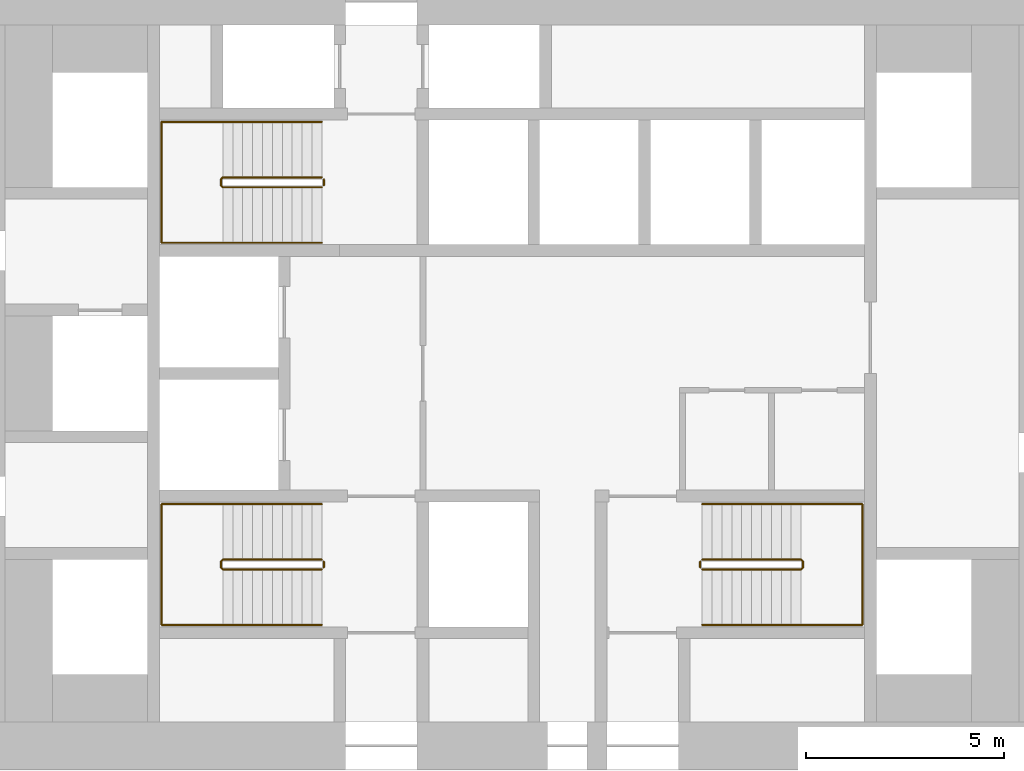
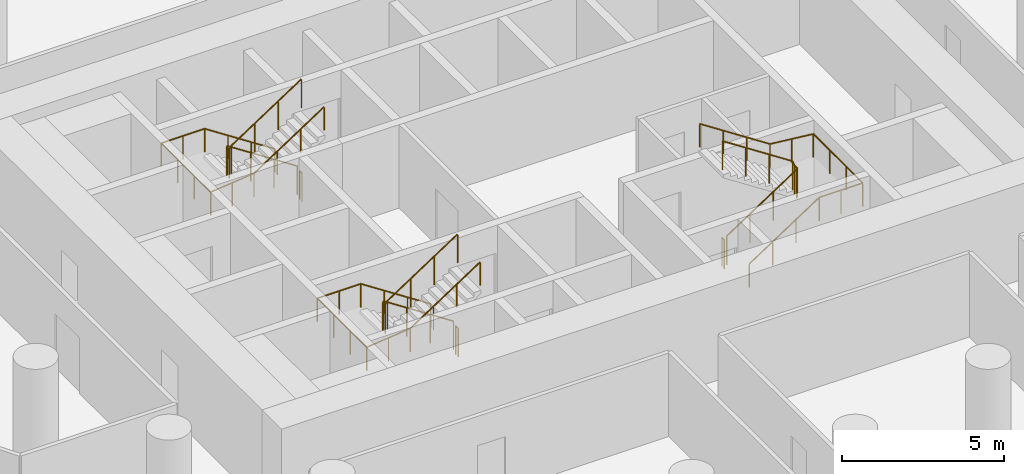
# One storey, part 12 of 12: 9 railings.
"""IFC4 building model written with IfcOpenShell, lengths in metres."""

from ifc_helpers import new_model, si_unit, direction, frame, origin, origin_2d, place, context, subcontext, project, spatial, circle, extrude, material, type_object, element, save


model = new_model("IFC4")

# Units and contexts
model_context = context("Model", 3, precision=1e-05, world=origin(), true_north=direction((0.0, 1.0)))
body_context = subcontext(model_context, "Body", "Model", "MODEL_VIEW")
ifc_project = project(units=[si_unit("LENGTHUNIT", "METRE"), si_unit("AREAUNIT", "SQUARE_METRE"), si_unit("VOLUMEUNIT", "CUBIC_METRE"), si_unit("PLANEANGLEUNIT", "RADIAN"), si_unit("MASSUNIT", "GRAM", prefix="KILO")], contexts=[model_context])

# Site, building, storey
site_placement = place(None, origin())
site = spatial("IfcSite", under=ifc_project, at=site_placement, CompositionType="ELEMENT")
building_placement = place(site_placement, origin())
building = spatial("IfcBuilding", under=site, at=building_placement, Name="Tracery Tower", CompositionType="ELEMENT")
storey_placement = place(building_placement, frame((0.0, 0.0, 78.60009765625)))
storey = spatial("IfcBuildingStorey", under=building, at=storey_placement, Name="L19", CompositionType="ELEMENT", Elevation=78.60009765625)

# Railings
ifc_material_1 = material(Name="Stainless steel and laminated glass", Category="steel")
railing_type_1 = type_object("IfcRailingType", Name="Stair guard 1100", PredefinedType="GUARDRAIL", material=ifc_material_1)
railing_1_placement = place(storey_placement, frame((-4.800048828125, -4.699951171875, 0.16357421875)))
element("IfcRailing", 1, at=railing_1_placement, inside=storey, type_object=railing_type_1, Name="L19 stair ST1 guard 1", PredefinedType="GUARDRAIL", context=body_context, shape_type="SweptSolid", body=[
    extrude(circle(Radius=0.02392578125, at=origin_2d()), frame((0.0, 0.0, 1.076171875), z_axis=(-0.836721939367, 0.0, 0.547627972425), x_axis=(0.0, -1.0, 0.0)), (0.0, 0.0, 1.0), 2.98779296875),
    extrude(circle(Radius=0.02392578125, at=origin_2d()), frame((-2.5, 0.0, 2.71240234375), z_axis=(-0.707106781187, -0.707106781187, 0.0), x_axis=(0.707106781187, -0.707106781187, 0.0)), (0.0, 0.0, 1.0), 0.07080078125),
    extrude(circle(Radius=0.02392578125, at=origin_2d()), frame((-2.550048828125, -0.050048828125, 2.71240234375), z_axis=(0.0, -1.0, 0.0), x_axis=(1.0, 0.0, 0.0)), (0.0, 0.0, 1.0), 0.14990234375),
    extrude(circle(Radius=0.02392578125, at=origin_2d()), frame((-2.550048828125, -0.199951171875, 2.71240234375), z_axis=(0.280456126637, -0.280456126637, 0.917980785237), x_axis=(0.707106781187, 0.707106781187, 0.0)), (0.0, 0.0, 1.0), 0.178466796875),
    extrude(circle(Radius=0.02392578125, at=origin_2d()), frame((-2.5, -0.25, 2.8759765625), z_axis=(0.836721939367, 0.0, 0.547627972425), x_axis=(0.0, 1.0, 0.0)), (0.0, 0.0, 1.0), 2.98779296875),
    extrude(circle(Radius=0.02099609375, at=origin_2d()), origin(), (0.0, 0.0, 1.0), 1.052001953125),
    extrude(circle(Radius=0.02099609375, at=origin_2d()), frame((-0.833251953125, 0.0, 0.54541015625)), (0.0, 0.0, 1.0), 1.052001953125),
    extrude(circle(Radius=0.02099609375, at=origin_2d()), frame((-1.666748046875, 0.0, 1.0908203125)), (0.0, 0.0, 1.0), 1.052001953125),
    extrude(circle(Radius=0.02099609375, at=origin_2d()), frame((-2.5, 0.0, 1.63623046875)), (0.0, 0.0, 1.0), 1.052001953125),
    extrude(circle(Radius=0.02099609375, at=origin_2d()), frame((-2.550048828125, -0.050048828125, 1.63623046875)), (0.0, 0.0, 1.0), 1.052001953125),
    extrude(circle(Radius=0.02099609375, at=origin_2d()), frame((-2.550048828125, -0.199951171875, 1.63623046875)), (0.0, 0.0, 1.0), 1.052001953125),
    extrude(circle(Radius=0.02099609375, at=origin_2d()), frame((-2.5, -0.25, 1.800048828125)), (0.0, 0.0, 1.0), 1.052001953125),
    extrude(circle(Radius=0.02099609375, at=origin_2d()), frame((-1.666748046875, -0.25, 2.345458984375)), (0.0, 0.0, 1.0), 1.052001953125),
    extrude(circle(Radius=0.02099609375, at=origin_2d()), frame((-0.833251953125, -0.25, 2.890869140625)), (0.0, 0.0, 1.0), 1.052001953125),
    extrude(circle(Radius=0.02099609375, at=origin_2d()), frame((0.0, -0.25, 3.436279296875)), (0.0, 0.0, 1.0), 1.052001953125),
])
railing_2_placement = place(storey_placement, frame((-4.75, -4.75, 0.0)))
element("IfcRailing", 2, at=railing_2_placement, inside=storey, type_object=railing_type_1, Name="L19 stair ST1 guard 2", PredefinedType="GUARDRAIL", context=body_context, shape_type="SweptSolid", body=[
    extrude(circle(Radius=0.02392578125, at=origin_2d()), frame((0.0, 0.0, 1.076171875), z_axis=(0.0, -1.0, 0.0), x_axis=(1.0, 0.0, 0.0)), (0.0, 0.0, 1.0), 0.14990234375),
    extrude(circle(Radius=0.02099609375, at=origin_2d()), origin(), (0.0, 0.0, 1.0), 1.052001953125),
    extrude(circle(Radius=0.02099609375, at=origin_2d()), frame((0.0, -0.14990234375, 0.0)), (0.0, 0.0, 1.0), 1.052001953125),
])
railing_3_placement = place(storey_placement, frame((-4.800048828125, 4.949951171875, 0.16357421875)))
element("IfcRailing", 3, at=railing_3_placement, inside=storey, type_object=railing_type_1, Name="L19 stair ST3 guard 1", PredefinedType="GUARDRAIL", context=body_context, shape_type="SweptSolid", body=[
    extrude(circle(Radius=0.02392578125, at=origin_2d()), frame((0.0, 0.0, 1.076171875), z_axis=(-0.836721939367, 0.0, 0.547627972425), x_axis=(0.0, -1.0, 0.0)), (0.0, 0.0, 1.0), 2.98779296875),
    extrude(circle(Radius=0.02392578125, at=origin_2d()), frame((-2.5, 0.0, 2.71240234375), z_axis=(-0.707106781187, -0.707106781187, 0.0), x_axis=(0.707106781187, -0.707106781187, 0.0)), (0.0, 0.0, 1.0), 0.07080078125),
    extrude(circle(Radius=0.02392578125, at=origin_2d()), frame((-2.550048828125, -0.050048828125, 2.71240234375), z_axis=(0.0, -1.0, 0.0), x_axis=(1.0, 0.0, 0.0)), (0.0, 0.0, 1.0), 0.14990234375),
    extrude(circle(Radius=0.02392578125, at=origin_2d()), frame((-2.550048828125, -0.199951171875, 2.71240234375), z_axis=(0.280456126637, -0.280456126637, 0.917980785237), x_axis=(0.707106781187, 0.707106781187, 0.0)), (0.0, 0.0, 1.0), 0.178466796875),
    extrude(circle(Radius=0.02392578125, at=origin_2d()), frame((-2.5, -0.25, 2.8759765625), z_axis=(0.836721939367, 0.0, 0.547627972425), x_axis=(0.0, 1.0, 0.0)), (0.0, 0.0, 1.0), 2.98779296875),
    extrude(circle(Radius=0.02099609375, at=origin_2d()), origin(), (0.0, 0.0, 1.0), 1.052001953125),
    extrude(circle(Radius=0.02099609375, at=origin_2d()), frame((-0.833251953125, 0.0, 0.54541015625)), (0.0, 0.0, 1.0), 1.052001953125),
    extrude(circle(Radius=0.02099609375, at=origin_2d()), frame((-1.666748046875, 0.0, 1.0908203125)), (0.0, 0.0, 1.0), 1.052001953125),
    extrude(circle(Radius=0.02099609375, at=origin_2d()), frame((-2.5, 0.0, 1.63623046875)), (0.0, 0.0, 1.0), 1.052001953125),
    extrude(circle(Radius=0.02099609375, at=origin_2d()), frame((-2.550048828125, -0.050048828125, 1.63623046875)), (0.0, 0.0, 1.0), 1.052001953125),
    extrude(circle(Radius=0.02099609375, at=origin_2d()), frame((-2.550048828125, -0.199951171875, 1.63623046875)), (0.0, 0.0, 1.0), 1.052001953125),
    extrude(circle(Radius=0.02099609375, at=origin_2d()), frame((-2.5, -0.25, 1.800048828125)), (0.0, 0.0, 1.0), 1.052001953125),
    extrude(circle(Radius=0.02099609375, at=origin_2d()), frame((-1.666748046875, -0.25, 2.345458984375)), (0.0, 0.0, 1.0), 1.052001953125),
    extrude(circle(Radius=0.02099609375, at=origin_2d()), frame((-0.833251953125, -0.25, 2.890869140625)), (0.0, 0.0, 1.0), 1.052001953125),
    extrude(circle(Radius=0.02099609375, at=origin_2d()), frame((0.0, -0.25, 3.436279296875)), (0.0, 0.0, 1.0), 1.052001953125),
])
railing_4_placement = place(storey_placement, frame((-4.75, 4.89990234375, 0.0)))
element("IfcRailing", 4, at=railing_4_placement, inside=storey, type_object=railing_type_1, Name="L19 stair ST3 guard 2", PredefinedType="GUARDRAIL", context=body_context, shape_type="SweptSolid", body=[
    extrude(circle(Radius=0.02392578125, at=origin_2d()), frame((0.0, 0.0, 1.076171875), z_axis=(0.0, -1.0, 0.0), x_axis=(1.0, 0.0, 0.0)), (0.0, 0.0, 1.0), 0.14990234375),
    extrude(circle(Radius=0.02099609375, at=origin_2d()), origin(), (0.0, 0.0, 1.0), 1.052001953125),
    extrude(circle(Radius=0.02099609375, at=origin_2d()), frame((0.0, -0.14990234375, 0.0)), (0.0, 0.0, 1.0), 1.052001953125),
])
railing_5_placement = place(storey_placement, frame((4.800048828125, -4.949951171875, 0.16357421875)))
element("IfcRailing", 5, at=railing_5_placement, inside=storey, type_object=railing_type_1, Name="L19 stair ST2 guard 1", PredefinedType="GUARDRAIL", context=body_context, shape_type="SweptSolid", body=[
    extrude(circle(Radius=0.02392578125, at=origin_2d()), frame((0.0, 0.0, 1.076171875), z_axis=(0.836721939367, 0.0, 0.547627972425), x_axis=(0.0, 1.0, 0.0)), (0.0, 0.0, 1.0), 2.98779296875),
    extrude(circle(Radius=0.02392578125, at=origin_2d()), frame((2.5, 0.0, 2.71240234375), z_axis=(0.707106781187, 0.707106781187, 0.0), x_axis=(-0.707106781187, 0.707106781187, 0.0)), (0.0, 0.0, 1.0), 0.07080078125),
    extrude(circle(Radius=0.02392578125, at=origin_2d()), frame((2.550048828125, 0.050048828125, 2.71240234375), z_axis=(0.0, 1.0, 0.0), x_axis=(-1.0, 0.0, 0.0)), (0.0, 0.0, 1.0), 0.14990234375),
    extrude(circle(Radius=0.02392578125, at=origin_2d()), frame((2.550048828125, 0.199951171875, 2.71240234375), z_axis=(-0.280456126637, 0.280456126637, 0.917980785237), x_axis=(-0.707106781187, -0.707106781187, 0.0)), (0.0, 0.0, 1.0), 0.178466796875),
    extrude(circle(Radius=0.02392578125, at=origin_2d()), frame((2.5, 0.25, 2.8759765625), z_axis=(-0.836721939367, 0.0, 0.547627972425), x_axis=(0.0, -1.0, 0.0)), (0.0, 0.0, 1.0), 2.98779296875),
    extrude(circle(Radius=0.02099609375, at=origin_2d()), origin(), (0.0, 0.0, 1.0), 1.052001953125),
    extrude(circle(Radius=0.02099609375, at=origin_2d()), frame((0.833251953125, 0.0, 0.54541015625)), (0.0, 0.0, 1.0), 1.052001953125),
    extrude(circle(Radius=0.02099609375, at=origin_2d()), frame((1.666748046875, 0.0, 1.0908203125)), (0.0, 0.0, 1.0), 1.052001953125),
    extrude(circle(Radius=0.02099609375, at=origin_2d()), frame((2.5, 0.0, 1.63623046875)), (0.0, 0.0, 1.0), 1.052001953125),
    extrude(circle(Radius=0.02099609375, at=origin_2d()), frame((2.550048828125, 0.050048828125, 1.63623046875)), (0.0, 0.0, 1.0), 1.052001953125),
    extrude(circle(Radius=0.02099609375, at=origin_2d()), frame((2.550048828125, 0.199951171875, 1.63623046875)), (0.0, 0.0, 1.0), 1.052001953125),
    extrude(circle(Radius=0.02099609375, at=origin_2d()), frame((2.5, 0.25, 1.800048828125)), (0.0, 0.0, 1.0), 1.052001953125),
    extrude(circle(Radius=0.02099609375, at=origin_2d()), frame((1.666748046875, 0.25, 2.345458984375)), (0.0, 0.0, 1.0), 1.052001953125),
    extrude(circle(Radius=0.02099609375, at=origin_2d()), frame((0.833251953125, 0.25, 2.890869140625)), (0.0, 0.0, 1.0), 1.052001953125),
    extrude(circle(Radius=0.02099609375, at=origin_2d()), frame((0.0, 0.25, 3.436279296875)), (0.0, 0.0, 1.0), 1.052001953125),
])
railing_6_placement = place(storey_placement, frame((4.75, -4.89990234375, 0.0)))
element("IfcRailing", 6, at=railing_6_placement, inside=storey, type_object=railing_type_1, Name="L19 stair ST2 guard 2", PredefinedType="GUARDRAIL", context=body_context, shape_type="SweptSolid", body=[
    extrude(circle(Radius=0.02392578125, at=origin_2d()), frame((0.0, 0.0, 1.076171875), z_axis=(0.0, 1.0, 0.0), x_axis=(-1.0, 0.0, 0.0)), (0.0, 0.0, 1.0), 0.14990234375),
    extrude(circle(Radius=0.02099609375, at=origin_2d()), origin(), (0.0, 0.0, 1.0), 1.052001953125),
    extrude(circle(Radius=0.02099609375, at=origin_2d()), frame((0.0, 0.14990234375, 0.0)), (0.0, 0.0, 1.0), 1.052001953125),
])
ifc_material_2 = material(Name="Stainless steel and laminated glass", Category="steel")
railing_type_2 = type_object("IfcRailingType", Name="Stair handrail 900", PredefinedType="HANDRAIL", material=ifc_material_2)
railing_7_placement = place(storey_placement, frame((-4.800048828125, -3.300048828125, 0.16357421875)))
element("IfcRailing", 7, at=railing_7_placement, inside=storey, type_object=railing_type_2, Name="L19 stair ST1 handrail 1", PredefinedType="HANDRAIL", context=body_context, shape_type="SweptSolid", body=[
    extrude(circle(Radius=0.02392578125, at=origin_2d()), frame((0.0, 0.0, 0.8759765625), z_axis=(-0.836721939367, 0.0, 0.547627972425), x_axis=(0.0, -1.0, 0.0)), (0.0, 0.0, 1.0), 2.98779296875),
    extrude(circle(Radius=0.02392578125, at=origin_2d()), frame((-2.5, 0.0, 2.51220703125), z_axis=(-1.0, 0.0, 0.0), x_axis=(0.0, -1.0, 0.0)), (0.0, 0.0, 1.0), 1.550048828125),
    extrude(circle(Radius=0.02392578125, at=origin_2d()), frame((-4.050048828125, 0.0, 2.51220703125), z_axis=(0.0, -1.0, 0.0), x_axis=(1.0, 0.0, 0.0)), (0.0, 0.0, 1.0), 3.050048828125),
    extrude(circle(Radius=0.02392578125, at=origin_2d()), frame((-4.050048828125, -3.050048828125, 2.51220703125), z_axis=(0.994461594632, 0.0, 0.105100603244), x_axis=(0.0, 1.0, 0.0)), (0.0, 0.0, 1.0), 1.55859375),
    extrude(circle(Radius=0.02392578125, at=origin_2d()), frame((-2.5, -3.050048828125, 2.67578125), z_axis=(0.836721939367, 0.0, 0.547627972425), x_axis=(0.0, 1.0, 0.0)), (0.0, 0.0, 1.0), 2.98779296875),
    extrude(circle(Radius=0.02099609375, at=origin_2d()), origin(), (0.0, 0.0, 1.0), 0.851806640625),
    extrude(circle(Radius=0.02099609375, at=origin_2d()), frame((-0.833251953125, 0.0, 0.54541015625)), (0.0, 0.0, 1.0), 0.851806640625),
    extrude(circle(Radius=0.02099609375, at=origin_2d()), frame((-1.666748046875, 0.0, 1.0908203125)), (0.0, 0.0, 1.0), 0.851806640625),
    extrude(circle(Radius=0.02099609375, at=origin_2d()), frame((-2.5, 0.0, 1.63623046875)), (0.0, 0.0, 1.0), 0.851806640625),
    extrude(circle(Radius=0.02099609375, at=origin_2d()), frame((-3.27490234375, 0.0, 1.63623046875)), (0.0, 0.0, 1.0), 0.851806640625),
    extrude(circle(Radius=0.02099609375, at=origin_2d()), frame((-4.050048828125, 0.0, 1.63623046875)), (0.0, 0.0, 1.0), 0.851806640625),
    extrude(circle(Radius=0.02099609375, at=origin_2d()), frame((-4.050048828125, -1.0166015625, 1.63623046875)), (0.0, 0.0, 1.0), 0.851806640625),
    extrude(circle(Radius=0.02099609375, at=origin_2d()), frame((-4.050048828125, -2.033447265625, 1.63623046875)), (0.0, 0.0, 1.0), 0.851806640625),
    extrude(circle(Radius=0.02099609375, at=origin_2d()), frame((-4.050048828125, -3.050048828125, 1.63623046875)), (0.0, 0.0, 1.0), 0.851806640625),
    extrude(circle(Radius=0.02099609375, at=origin_2d()), frame((-3.27490234375, -3.050048828125, 1.71826171875)), (0.0, 0.0, 1.0), 0.851806640625),
    extrude(circle(Radius=0.02099609375, at=origin_2d()), frame((-2.5, -3.050048828125, 1.800048828125)), (0.0, 0.0, 1.0), 0.851806640625),
    extrude(circle(Radius=0.02099609375, at=origin_2d()), frame((-1.666748046875, -3.050048828125, 2.345458984375)), (0.0, 0.0, 1.0), 0.851806640625),
    extrude(circle(Radius=0.02099609375, at=origin_2d()), frame((-0.833251953125, -3.050048828125, 2.890869140625)), (0.0, 0.0, 1.0), 0.851806640625),
    extrude(circle(Radius=0.02099609375, at=origin_2d()), frame((0.0, -3.050048828125, 3.436279296875)), (0.0, 0.0, 1.0), 0.851806640625),
])
railing_8_placement = place(storey_placement, frame((-4.800048828125, 6.35009765625, 0.16357421875)))
element("IfcRailing", 8, at=railing_8_placement, inside=storey, type_object=railing_type_2, Name="L19 stair ST3 handrail 1", PredefinedType="HANDRAIL", context=body_context, shape_type="SweptSolid", body=[
    extrude(circle(Radius=0.02392578125, at=origin_2d()), frame((0.0, 0.0, 0.8759765625), z_axis=(-0.836721939367, 0.0, 0.547627972425), x_axis=(0.0, -1.0, 0.0)), (0.0, 0.0, 1.0), 2.98779296875),
    extrude(circle(Radius=0.02392578125, at=origin_2d()), frame((-2.5, 0.0, 2.51220703125), z_axis=(-1.0, 0.0, 0.0), x_axis=(0.0, -1.0, 0.0)), (0.0, 0.0, 1.0), 1.550048828125),
    extrude(circle(Radius=0.02392578125, at=origin_2d()), frame((-4.050048828125, 0.0, 2.51220703125), z_axis=(0.0, -1.0, 0.0), x_axis=(1.0, 0.0, 0.0)), (0.0, 0.0, 1.0), 3.050048828125),
    extrude(circle(Radius=0.02392578125, at=origin_2d()), frame((-4.050048828125, -3.050048828125, 2.51220703125), z_axis=(0.994461594632, 0.0, 0.105100603244), x_axis=(0.0, 1.0, 0.0)), (0.0, 0.0, 1.0), 1.55859375),
    extrude(circle(Radius=0.02392578125, at=origin_2d()), frame((-2.5, -3.050048828125, 2.67578125), z_axis=(0.836721939367, 0.0, 0.547627972425), x_axis=(0.0, 1.0, 0.0)), (0.0, 0.0, 1.0), 2.98779296875),
    extrude(circle(Radius=0.02099609375, at=origin_2d()), origin(), (0.0, 0.0, 1.0), 0.851806640625),
    extrude(circle(Radius=0.02099609375, at=origin_2d()), frame((-0.833251953125, 0.0, 0.54541015625)), (0.0, 0.0, 1.0), 0.851806640625),
    extrude(circle(Radius=0.02099609375, at=origin_2d()), frame((-1.666748046875, 0.0, 1.0908203125)), (0.0, 0.0, 1.0), 0.851806640625),
    extrude(circle(Radius=0.02099609375, at=origin_2d()), frame((-2.5, 0.0, 1.63623046875)), (0.0, 0.0, 1.0), 0.851806640625),
    extrude(circle(Radius=0.02099609375, at=origin_2d()), frame((-3.27490234375, 0.0, 1.63623046875)), (0.0, 0.0, 1.0), 0.851806640625),
    extrude(circle(Radius=0.02099609375, at=origin_2d()), frame((-4.050048828125, 0.0, 1.63623046875)), (0.0, 0.0, 1.0), 0.851806640625),
    extrude(circle(Radius=0.02099609375, at=origin_2d()), frame((-4.050048828125, -1.0166015625, 1.63623046875)), (0.0, 0.0, 1.0), 0.851806640625),
    extrude(circle(Radius=0.02099609375, at=origin_2d()), frame((-4.050048828125, -2.033447265625, 1.63623046875)), (0.0, 0.0, 1.0), 0.851806640625),
    extrude(circle(Radius=0.02099609375, at=origin_2d()), frame((-4.050048828125, -3.050048828125, 1.63623046875)), (0.0, 0.0, 1.0), 0.851806640625),
    extrude(circle(Radius=0.02099609375, at=origin_2d()), frame((-3.27490234375, -3.050048828125, 1.71826171875)), (0.0, 0.0, 1.0), 0.851806640625),
    extrude(circle(Radius=0.02099609375, at=origin_2d()), frame((-2.5, -3.050048828125, 1.800048828125)), (0.0, 0.0, 1.0), 0.851806640625),
    extrude(circle(Radius=0.02099609375, at=origin_2d()), frame((-1.666748046875, -3.050048828125, 2.345458984375)), (0.0, 0.0, 1.0), 0.851806640625),
    extrude(circle(Radius=0.02099609375, at=origin_2d()), frame((-0.833251953125, -3.050048828125, 2.890869140625)), (0.0, 0.0, 1.0), 0.851806640625),
    extrude(circle(Radius=0.02099609375, at=origin_2d()), frame((0.0, -3.050048828125, 3.436279296875)), (0.0, 0.0, 1.0), 0.851806640625),
])
railing_9_placement = place(storey_placement, frame((4.800048828125, -6.35009765625, 0.16357421875)))
element("IfcRailing", 9, at=railing_9_placement, inside=storey, type_object=railing_type_2, Name="L19 stair ST2 handrail 1", PredefinedType="HANDRAIL", context=body_context, shape_type="SweptSolid", body=[
    extrude(circle(Radius=0.02392578125, at=origin_2d()), frame((0.0, 0.0, 0.8759765625), z_axis=(0.836721939367, 0.0, 0.547627972425), x_axis=(0.0, 1.0, 0.0)), (0.0, 0.0, 1.0), 2.98779296875),
    extrude(circle(Radius=0.02392578125, at=origin_2d()), frame((2.5, 0.0, 2.51220703125), z_axis=(1.0, 0.0, 0.0), x_axis=(0.0, 1.0, 0.0)), (0.0, 0.0, 1.0), 1.550048828125),
    extrude(circle(Radius=0.02392578125, at=origin_2d()), frame((4.050048828125, 0.0, 2.51220703125), z_axis=(0.0, 1.0, 0.0), x_axis=(-1.0, 0.0, 0.0)), (0.0, 0.0, 1.0), 3.050048828125),
    extrude(circle(Radius=0.02392578125, at=origin_2d()), frame((4.050048828125, 3.050048828125, 2.51220703125), z_axis=(-0.994461594632, 0.0, 0.105100603244), x_axis=(0.0, -1.0, 0.0)), (0.0, 0.0, 1.0), 1.55859375),
    extrude(circle(Radius=0.02392578125, at=origin_2d()), frame((2.5, 3.050048828125, 2.67578125), z_axis=(-0.836721939367, 0.0, 0.547627972425), x_axis=(0.0, -1.0, 0.0)), (0.0, 0.0, 1.0), 2.98779296875),
    extrude(circle(Radius=0.02099609375, at=origin_2d()), origin(), (0.0, 0.0, 1.0), 0.851806640625),
    extrude(circle(Radius=0.02099609375, at=origin_2d()), frame((0.833251953125, 0.0, 0.54541015625)), (0.0, 0.0, 1.0), 0.851806640625),
    extrude(circle(Radius=0.02099609375, at=origin_2d()), frame((1.666748046875, 0.0, 1.0908203125)), (0.0, 0.0, 1.0), 0.851806640625),
    extrude(circle(Radius=0.02099609375, at=origin_2d()), frame((2.5, 0.0, 1.63623046875)), (0.0, 0.0, 1.0), 0.851806640625),
    extrude(circle(Radius=0.02099609375, at=origin_2d()), frame((3.27490234375, 0.0, 1.63623046875)), (0.0, 0.0, 1.0), 0.851806640625),
    extrude(circle(Radius=0.02099609375, at=origin_2d()), frame((4.050048828125, 0.0, 1.63623046875)), (0.0, 0.0, 1.0), 0.851806640625),
    extrude(circle(Radius=0.02099609375, at=origin_2d()), frame((4.050048828125, 1.0166015625, 1.63623046875)), (0.0, 0.0, 1.0), 0.851806640625),
    extrude(circle(Radius=0.02099609375, at=origin_2d()), frame((4.050048828125, 2.033447265625, 1.63623046875)), (0.0, 0.0, 1.0), 0.851806640625),
    extrude(circle(Radius=0.02099609375, at=origin_2d()), frame((4.050048828125, 3.050048828125, 1.63623046875)), (0.0, 0.0, 1.0), 0.851806640625),
    extrude(circle(Radius=0.02099609375, at=origin_2d()), frame((3.27490234375, 3.050048828125, 1.71826171875)), (0.0, 0.0, 1.0), 0.851806640625),
    extrude(circle(Radius=0.02099609375, at=origin_2d()), frame((2.5, 3.050048828125, 1.800048828125)), (0.0, 0.0, 1.0), 0.851806640625),
    extrude(circle(Radius=0.02099609375, at=origin_2d()), frame((1.666748046875, 3.050048828125, 2.345458984375)), (0.0, 0.0, 1.0), 0.851806640625),
    extrude(circle(Radius=0.02099609375, at=origin_2d()), frame((0.833251953125, 3.050048828125, 2.890869140625)), (0.0, 0.0, 1.0), 0.851806640625),
    extrude(circle(Radius=0.02099609375, at=origin_2d()), frame((0.0, 3.050048828125, 3.436279296875)), (0.0, 0.0, 1.0), 0.851806640625),
])

save(model, "model.ifc")
